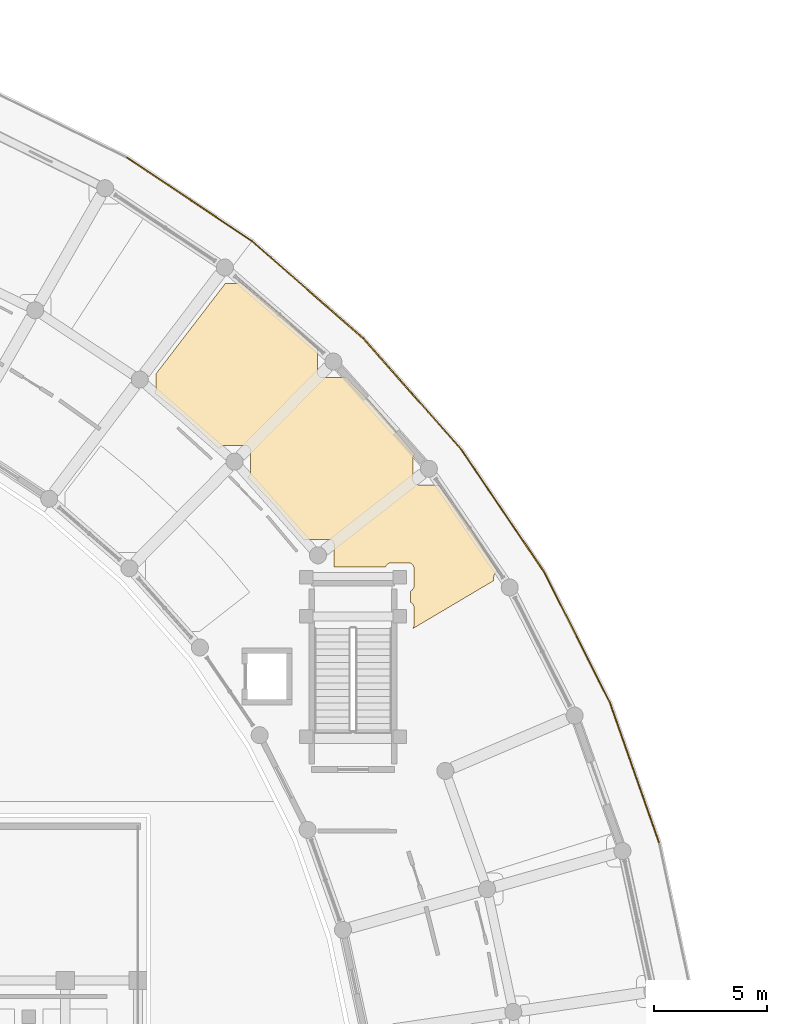
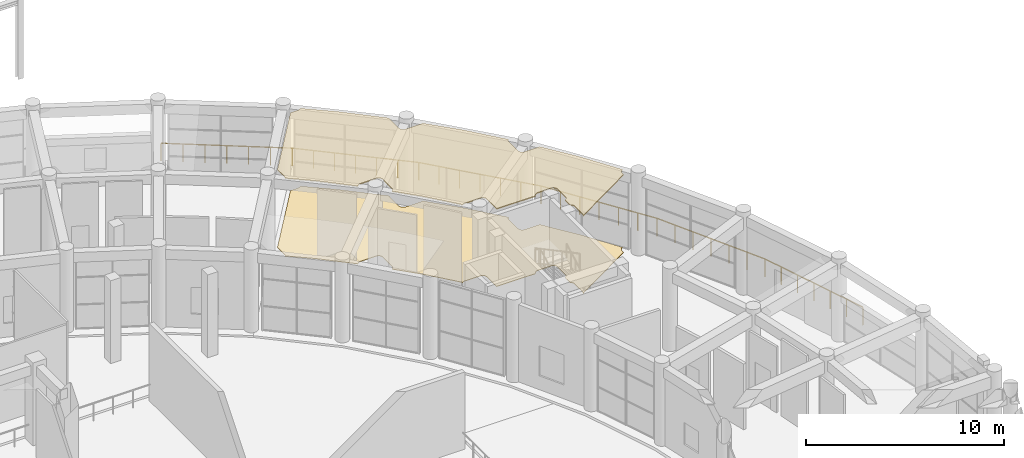
# One storey, part 96 of 99: 6 railings, 2 coverings.
"""IFC4 building model written with IfcOpenShell, lengths in metres."""

from ifc_helpers import new_model, si_unit, direction, frame, origin, origin_2d, place, context, subcontext, project, spatial, polyline, rectangle, outline, extrude, material, layer, layer_set, type_object, element, save


model = new_model("IFC4")

# Units and contexts
model_context = context("Model", 3, precision=1e-05, world=origin(), true_north=direction((0.0, 1.0)))
body_context = subcontext(model_context, "Body", "Model", "MODEL_VIEW")
ifc_project = project(units=[si_unit("LENGTHUNIT", "METRE"), si_unit("AREAUNIT", "SQUARE_METRE"), si_unit("VOLUMEUNIT", "CUBIC_METRE"), si_unit("PLANEANGLEUNIT", "RADIAN"), si_unit("MASSUNIT", "GRAM", prefix="KILO")], contexts=[model_context])

# Site, building, storey
site_placement = place(None, origin())
site = spatial("IfcSite", under=ifc_project, at=site_placement, CompositionType="ELEMENT")
building_placement = place(site_placement, origin())
building = spatial("IfcBuilding", under=site, at=building_placement, Name="Saryqyr Civic Hall", CompositionType="ELEMENT")
storey_placement = place(building_placement, origin())
storey = spatial("IfcBuildingStorey", under=building, at=storey_placement, Name="L00", CompositionType="ELEMENT", Elevation=0.0)

# Coverings
ifc_material_1 = material(Name="Mineral-fibre acoustic ceiling tile", Category="acoustic_tile")
ifc_layer_1 = layer(ifc_material_1, 0.06005859375, Name="Mineral-fibre acoustic ceiling tile")
ifc_layer_set_1 = layer_set([ifc_layer_1], Name="Mineral-fibre acoustic ceiling tile")
covering_type_1 = type_object("IfcCoveringType", Name="INT-COV-CEIL-60", PredefinedType="CEILING", material=ifc_layer_set_1)
covering_1_placement = place(storey_placement, frame((0.0, 0.0, 4.760009765625)))
element("IfcCovering", 1, at=covering_1_placement, inside=storey, type_object=covering_type_1, Name="Acoustic ceiling Community Participatory Budget Hub", PredefinedType="CEILING", context=body_context, shape_type="SweptSolid", body=[
    extrude(outline(polyline([(87.635498046875, 113.788818359375), (87.65673828125, 113.80126953125), (87.676513671875, 113.81591796875), (87.694580078125, 113.83251953125), (87.711181640625, 113.8505859375), (87.7255859375, 113.870361328125), (87.73828125, 113.891357421875), (87.748779296875, 113.91357421875), (87.757080078125, 113.9365234375), (87.762939453125, 113.96044921875), (87.7666015625, 113.984619140625), (87.767822265625, 114.00927734375), (87.767822265625, 114.919189453125), (87.7666015625, 114.943603515625), (87.762939453125, 114.968017578125), (87.757080078125, 114.99169921875), (87.748779296875, 115.014892578125), (87.73828125, 115.037109375), (87.7255859375, 115.05810546875), (87.711181640625, 115.077880859375), (87.694580078125, 115.095947265625), (87.676513671875, 115.112548828125), (87.65673828125, 115.127197265625), (87.635498046875, 115.1396484375), (87.613525390625, 115.150146484375), (87.59033203125, 115.158447265625), (87.566650390625, 115.164306640625), (87.542236328125, 115.16796875), (87.517822265625, 115.169189453125), (86.60791015625, 115.169189453125), (86.583251953125, 115.16796875), (86.55908203125, 115.164306640625), (86.53515625, 115.158447265625), (86.51220703125, 115.150146484375), (86.489990234375, 115.1396484375), (86.468994140625, 115.127197265625), (86.44921875, 115.112548828125), (86.430908203125, 115.095947265625), (86.41455078125, 115.077880859375), (86.39990234375, 115.05810546875), (86.38720703125, 115.037109375), (86.3837890625, 115.029296875), (84.78564453125, 116.488525390625), (84.758056640625, 116.511962890625), (83.54296875, 117.483154296875), (83.548583984375, 117.49072265625), (83.561279296875, 117.511962890625), (83.57177734375, 117.533935546875), (83.580078125, 117.55712890625), (83.5859375, 117.580810546875), (83.589599609375, 117.605224609375), (83.5908203125, 117.629638671875), (83.5908203125, 118.3251953125), (86.654052734375, 122.317138671875), (87.090576171875, 122.317138671875), (87.114990234375, 122.318359375), (87.139404296875, 122.322021484375), (87.1630859375, 122.327880859375), (87.186279296875, 122.336181640625), (87.20849609375, 122.3466796875), (87.2294921875, 122.359375), (87.249267578125, 122.373779296875), (87.267333984375, 122.390380859375), (87.279052734375, 122.4033203125), (88.78662109375, 121.198486328125), (90.730224609375, 119.423828125), (90.723388671875, 119.40478515625), (90.717529296875, 119.381103515625), (90.7138671875, 119.356689453125), (90.712646484375, 119.332275390625), (90.712646484375, 118.42236328125), (90.7138671875, 118.397705078125), (90.717529296875, 118.37353515625), (90.723388671875, 118.349609375), (90.731689453125, 118.32666015625), (90.7421875, 118.304443359375), (90.7548828125, 118.283447265625), (90.769287109375, 118.263671875), (90.785888671875, 118.24560546875), (90.80419921875, 118.22900390625), (90.82373046875, 118.21435546875), (90.844970703125, 118.201904296875), (90.866943359375, 118.19140625), (90.89013671875, 118.18310546875), (90.913818359375, 118.177001953125), (90.938232421875, 118.173583984375), (90.962646484375, 118.17236328125), (91.872802734375, 118.17236328125), (91.897216796875, 118.173583984375), (91.92138671875, 118.177001953125), (91.9453125, 118.18310546875), (91.96728515625, 118.19091796875), (93.3896484375, 116.70947265625), (95.00341796875, 114.791015625), (94.993896484375, 114.782470703125), (94.977294921875, 114.76416015625), (94.962890625, 114.744384765625), (94.9501953125, 114.723388671875), (94.939697265625, 114.701416015625), (94.931396484375, 114.67822265625), (94.925537109375, 114.654296875), (94.921875, 114.630126953125), (94.920654296875, 114.605712890625), (94.920654296875, 113.695556640625), (94.921875, 113.671142578125), (94.925537109375, 113.646728515625), (94.931396484375, 113.623046875), (94.939697265625, 113.599853515625), (94.9501953125, 113.577880859375), (94.962890625, 113.556640625), (94.977294921875, 113.537109375), (94.993896484375, 113.518798828125), (95.01220703125, 113.502197265625), (95.03173828125, 113.48779296875), (95.052978515625, 113.47509765625), (95.074951171875, 113.464599609375), (95.09814453125, 113.456298828125), (95.121826171875, 113.450439453125), (95.146240234375, 113.44677734375), (95.170654296875, 113.445556640625), (96.049560546875, 113.445556640625), (97.3642578125, 111.65576171875), (98.665283203125, 109.615966796875), (98.661865234375, 109.614990234375), (98.638671875, 109.60693359375), (98.61669921875, 109.596435546875), (98.595458984375, 109.583740234375), (98.57568359375, 109.569091796875), (98.5576171875, 109.552734375), (98.541015625, 109.534423828125), (98.526611328125, 109.514892578125), (98.513916015625, 109.49365234375), (98.50341796875, 109.4716796875), (98.4951171875, 109.448486328125), (98.4892578125, 109.4248046875), (98.485595703125, 109.400390625), (98.484375, 109.3759765625), (98.484375, 109.221923828125), (94.902099609375, 107.099365234375), (94.913330078125, 107.111328125), (94.927978515625, 107.131103515625), (94.9404296875, 107.152099609375), (94.950927734375, 107.17431640625), (94.959228515625, 107.197509765625), (94.965087890625, 107.22119140625), (94.96875, 107.24560546875), (94.969970703125, 107.27001953125), (94.969970703125, 108.030029296875), (94.96875, 108.054443359375), (94.965087890625, 108.078857421875), (94.959228515625, 108.1025390625), (94.950927734375, 108.125732421875), (94.9404296875, 108.147705078125), (94.927978515625, 108.1689453125), (94.913330078125, 108.188720703125), (94.896728515625, 108.206787109375), (94.878662109375, 108.223388671875), (94.85888671875, 108.23779296875), (94.837890625, 108.25048828125), (94.820068359375, 108.2587890625), (94.820068359375, 108.77099609375), (94.837890625, 108.779541015625), (94.85888671875, 108.7919921875), (94.878662109375, 108.806640625), (94.896728515625, 108.8232421875), (94.913330078125, 108.84130859375), (94.927978515625, 108.861083984375), (94.9404296875, 108.882080078125), (94.950927734375, 108.904296875), (94.959228515625, 108.927490234375), (94.965087890625, 108.951171875), (94.96875, 108.9755859375), (94.969970703125, 109.0), (94.969970703125, 109.760009765625), (94.96875, 109.784423828125), (94.965087890625, 109.808837890625), (94.959228515625, 109.83251953125), (94.950927734375, 109.855712890625), (94.9404296875, 109.877685546875), (94.927978515625, 109.89892578125), (94.913330078125, 109.918701171875), (94.896728515625, 109.936767578125), (94.878662109375, 109.953369140625), (94.85888671875, 109.968017578125), (94.837890625, 109.98046875), (94.815673828125, 109.990966796875), (94.79248046875, 109.999267578125), (94.768798828125, 110.005126953125), (94.744384765625, 110.0087890625), (94.719970703125, 110.010009765625), (93.9599609375, 110.010009765625), (93.935546875, 110.0087890625), (93.9111328125, 110.005126953125), (93.887451171875, 109.999267578125), (93.8642578125, 109.990966796875), (93.84228515625, 109.98046875), (93.821044921875, 109.968017578125), (93.801513671875, 109.953369140625), (93.783203125, 109.936767578125), (93.7666015625, 109.918701171875), (93.752197265625, 109.89892578125), (93.739501953125, 109.877685546875), (93.72900390625, 109.855712890625), (93.720703125, 109.83251953125), (93.717529296875, 109.820068359375), (91.435546875, 109.820068359375), (91.438720703125, 109.831787109375), (91.442138671875, 109.856201171875), (91.443359375, 109.880615234375), (91.443359375, 110.79052734375), (91.442138671875, 110.815185546875), (91.438720703125, 110.83935546875), (91.4326171875, 110.86328125), (91.42431640625, 110.88623046875), (91.413818359375, 110.908447265625), (91.4013671875, 110.929443359375), (91.38671875, 110.94921875), (91.3701171875, 110.96728515625), (91.35205078125, 110.98388671875), (91.332275390625, 110.99853515625), (91.311279296875, 111.010986328125), (91.2890625, 111.021484375), (91.26611328125, 111.02978515625), (91.2421875, 111.035888671875), (91.218017578125, 111.039306640625), (91.193359375, 111.04052734375), (90.283447265625, 111.04052734375), (90.2587890625, 111.039306640625), (90.234619140625, 111.035888671875), (90.210693359375, 111.02978515625), (90.187744140625, 111.021484375), (90.16552734375, 111.010986328125), (90.14453125, 110.99853515625), (90.131103515625, 110.988525390625), (88.805419921875, 112.564697265625), (88.78125, 112.591552734375), (87.633056640625, 113.78759765625), (87.635498046875, 113.788818359375)])), origin(), (0.0, 0.0, 1.0), 0.06005859375),
])
ifc_material_2 = material(Name="Polished terrazzo tile", Category="stone")
ifc_layer_2 = layer(ifc_material_2, 0.030029296875, Name="Polished terrazzo tile")
ifc_layer_set_2 = layer_set([ifc_layer_2], Name="Polished terrazzo tile")
covering_type_2 = type_object("IfcCoveringType", Name="INT-COV-FLR-30", PredefinedType="FLOORING", material=ifc_layer_set_2)
covering_2_placement = place(storey_placement, origin())
element("IfcCovering", 2, at=covering_2_placement, inside=storey, type_object=covering_type_2, Name="Polished terrazzo flooring Community Participatory Budget Hub", PredefinedType="FLOORING", context=body_context, shape_type="SweptSolid", body=[
    extrude(outline(polyline([(87.635498046875, 113.788818359375), (87.65673828125, 113.80126953125), (87.676513671875, 113.81591796875), (87.694580078125, 113.83251953125), (87.711181640625, 113.8505859375), (87.7255859375, 113.870361328125), (87.73828125, 113.891357421875), (87.748779296875, 113.91357421875), (87.757080078125, 113.9365234375), (87.762939453125, 113.96044921875), (87.7666015625, 113.984619140625), (87.767822265625, 114.00927734375), (87.767822265625, 114.919189453125), (87.7666015625, 114.943603515625), (87.762939453125, 114.968017578125), (87.757080078125, 114.99169921875), (87.748779296875, 115.014892578125), (87.73828125, 115.037109375), (87.7255859375, 115.05810546875), (87.711181640625, 115.077880859375), (87.694580078125, 115.095947265625), (87.676513671875, 115.112548828125), (87.65673828125, 115.127197265625), (87.635498046875, 115.1396484375), (87.613525390625, 115.150146484375), (87.59033203125, 115.158447265625), (87.566650390625, 115.164306640625), (87.542236328125, 115.16796875), (87.517822265625, 115.169189453125), (86.60791015625, 115.169189453125), (86.583251953125, 115.16796875), (86.55908203125, 115.164306640625), (86.53515625, 115.158447265625), (86.51220703125, 115.150146484375), (86.489990234375, 115.1396484375), (86.468994140625, 115.127197265625), (86.44921875, 115.112548828125), (86.430908203125, 115.095947265625), (86.41455078125, 115.077880859375), (86.39990234375, 115.05810546875), (86.38720703125, 115.037109375), (86.3837890625, 115.029296875), (84.78564453125, 116.488525390625), (84.758056640625, 116.511962890625), (83.54296875, 117.483154296875), (83.548583984375, 117.49072265625), (83.561279296875, 117.511962890625), (83.57177734375, 117.533935546875), (83.580078125, 117.55712890625), (83.5859375, 117.580810546875), (83.589599609375, 117.605224609375), (83.5908203125, 117.629638671875), (83.5908203125, 118.3251953125), (86.654052734375, 122.317138671875), (87.090576171875, 122.317138671875), (87.114990234375, 122.318359375), (87.139404296875, 122.322021484375), (87.1630859375, 122.327880859375), (87.186279296875, 122.336181640625), (87.20849609375, 122.3466796875), (87.2294921875, 122.359375), (87.249267578125, 122.373779296875), (87.267333984375, 122.390380859375), (87.279052734375, 122.4033203125), (88.78662109375, 121.198486328125), (90.730224609375, 119.423828125), (90.723388671875, 119.40478515625), (90.717529296875, 119.381103515625), (90.7138671875, 119.356689453125), (90.712646484375, 119.332275390625), (90.712646484375, 118.42236328125), (90.7138671875, 118.397705078125), (90.717529296875, 118.37353515625), (90.723388671875, 118.349609375), (90.731689453125, 118.32666015625), (90.7421875, 118.304443359375), (90.7548828125, 118.283447265625), (90.769287109375, 118.263671875), (90.785888671875, 118.24560546875), (90.80419921875, 118.22900390625), (90.82373046875, 118.21435546875), (90.844970703125, 118.201904296875), (90.866943359375, 118.19140625), (90.89013671875, 118.18310546875), (90.913818359375, 118.177001953125), (90.938232421875, 118.173583984375), (90.962646484375, 118.17236328125), (91.872802734375, 118.17236328125), (91.897216796875, 118.173583984375), (91.92138671875, 118.177001953125), (91.9453125, 118.18310546875), (91.96728515625, 118.19091796875), (93.3896484375, 116.70947265625), (95.00341796875, 114.791015625), (94.993896484375, 114.782470703125), (94.977294921875, 114.76416015625), (94.962890625, 114.744384765625), (94.9501953125, 114.723388671875), (94.939697265625, 114.701416015625), (94.931396484375, 114.67822265625), (94.925537109375, 114.654296875), (94.921875, 114.630126953125), (94.920654296875, 114.605712890625), (94.920654296875, 113.695556640625), (94.921875, 113.671142578125), (94.925537109375, 113.646728515625), (94.931396484375, 113.623046875), (94.939697265625, 113.599853515625), (94.9501953125, 113.577880859375), (94.962890625, 113.556640625), (94.977294921875, 113.537109375), (94.993896484375, 113.518798828125), (95.01220703125, 113.502197265625), (95.03173828125, 113.48779296875), (95.052978515625, 113.47509765625), (95.074951171875, 113.464599609375), (95.09814453125, 113.456298828125), (95.121826171875, 113.450439453125), (95.146240234375, 113.44677734375), (95.170654296875, 113.445556640625), (96.049560546875, 113.445556640625), (97.3642578125, 111.65576171875), (98.665283203125, 109.615966796875), (98.661865234375, 109.614990234375), (98.638671875, 109.60693359375), (98.61669921875, 109.596435546875), (98.595458984375, 109.583740234375), (98.57568359375, 109.569091796875), (98.5576171875, 109.552734375), (98.541015625, 109.534423828125), (98.526611328125, 109.514892578125), (98.513916015625, 109.49365234375), (98.50341796875, 109.4716796875), (98.4951171875, 109.448486328125), (98.4892578125, 109.4248046875), (98.485595703125, 109.400390625), (98.484375, 109.3759765625), (98.484375, 109.221923828125), (94.902099609375, 107.099365234375), (94.913330078125, 107.111328125), (94.927978515625, 107.131103515625), (94.9404296875, 107.152099609375), (94.950927734375, 107.17431640625), (94.959228515625, 107.197509765625), (94.965087890625, 107.22119140625), (94.96875, 107.24560546875), (94.969970703125, 107.27001953125), (94.969970703125, 108.030029296875), (94.96875, 108.054443359375), (94.965087890625, 108.078857421875), (94.959228515625, 108.1025390625), (94.950927734375, 108.125732421875), (94.9404296875, 108.147705078125), (94.927978515625, 108.1689453125), (94.913330078125, 108.188720703125), (94.896728515625, 108.206787109375), (94.878662109375, 108.223388671875), (94.85888671875, 108.23779296875), (94.837890625, 108.25048828125), (94.820068359375, 108.2587890625), (94.820068359375, 108.77099609375), (94.837890625, 108.779541015625), (94.85888671875, 108.7919921875), (94.878662109375, 108.806640625), (94.896728515625, 108.8232421875), (94.913330078125, 108.84130859375), (94.927978515625, 108.861083984375), (94.9404296875, 108.882080078125), (94.950927734375, 108.904296875), (94.959228515625, 108.927490234375), (94.965087890625, 108.951171875), (94.96875, 108.9755859375), (94.969970703125, 109.0), (94.969970703125, 109.760009765625), (94.96875, 109.784423828125), (94.965087890625, 109.808837890625), (94.959228515625, 109.83251953125), (94.950927734375, 109.855712890625), (94.9404296875, 109.877685546875), (94.927978515625, 109.89892578125), (94.913330078125, 109.918701171875), (94.896728515625, 109.936767578125), (94.878662109375, 109.953369140625), (94.85888671875, 109.968017578125), (94.837890625, 109.98046875), (94.815673828125, 109.990966796875), (94.79248046875, 109.999267578125), (94.768798828125, 110.005126953125), (94.744384765625, 110.0087890625), (94.719970703125, 110.010009765625), (93.9599609375, 110.010009765625), (93.935546875, 110.0087890625), (93.9111328125, 110.005126953125), (93.887451171875, 109.999267578125), (93.8642578125, 109.990966796875), (93.84228515625, 109.98046875), (93.821044921875, 109.968017578125), (93.801513671875, 109.953369140625), (93.783203125, 109.936767578125), (93.7666015625, 109.918701171875), (93.752197265625, 109.89892578125), (93.739501953125, 109.877685546875), (93.72900390625, 109.855712890625), (93.720703125, 109.83251953125), (93.717529296875, 109.820068359375), (91.435546875, 109.820068359375), (91.438720703125, 109.831787109375), (91.442138671875, 109.856201171875), (91.443359375, 109.880615234375), (91.443359375, 110.79052734375), (91.442138671875, 110.815185546875), (91.438720703125, 110.83935546875), (91.4326171875, 110.86328125), (91.42431640625, 110.88623046875), (91.413818359375, 110.908447265625), (91.4013671875, 110.929443359375), (91.38671875, 110.94921875), (91.3701171875, 110.96728515625), (91.35205078125, 110.98388671875), (91.332275390625, 110.99853515625), (91.311279296875, 111.010986328125), (91.2890625, 111.021484375), (91.26611328125, 111.02978515625), (91.2421875, 111.035888671875), (91.218017578125, 111.039306640625), (91.193359375, 111.04052734375), (90.283447265625, 111.04052734375), (90.2587890625, 111.039306640625), (90.234619140625, 111.035888671875), (90.210693359375, 111.02978515625), (90.187744140625, 111.021484375), (90.16552734375, 111.010986328125), (90.14453125, 110.99853515625), (90.131103515625, 110.988525390625), (88.805419921875, 112.564697265625), (88.78125, 112.591552734375), (87.633056640625, 113.78759765625), (87.635498046875, 113.788818359375)])), origin(), (0.0, 0.0, 1.0), 0.030029296875),
])

# Railings
ifc_material_3 = material(Name="Warm brushed brass and laminated glass", Category="glass")
ifc_layer_3 = layer(ifc_material_3, 0.06005859375, Name="Warm brushed brass and laminated glass")
ifc_layer_set_3 = layer_set([ifc_layer_3], Name="Warm brushed brass and laminated glass")
railing_type = type_object("IfcRailingType", Name="INT-RLG-BAL-1100", PredefinedType="BALUSTRADE", material=ifc_layer_set_3)
railing_1_placement = place(storey_placement, frame((82.324951171875, 127.864013671875, 0.0)))
element("IfcRailing", 3, at=railing_1_placement, inside=storey, type_object=railing_type, Name="Interior deck safety balustrade L00-017", PredefinedType="BALUSTRADE", context=body_context, shape_type="SweptSolid", body=[
    extrude(rectangle(XDim=0.048095703125, YDim=0.048095703125, at=origin_2d()), frame((0.0, 0.0, 1.09619140625), z_axis=(0.831454540273, -0.555592789243, 0.0), x_axis=(0.555592789243, 0.831454540273, 0.0)), (0.0, 0.0, 1.0), 6.625244140625),
    extrude(rectangle(XDim=0.0419921875, YDim=0.0419921875, at=origin_2d()), origin(), (0.0, 0.0, 1.0), 1.072021484375),
    extrude(rectangle(XDim=0.0419921875, YDim=0.0419921875, at=origin_2d()), frame((0.91796875, -0.613525390625, 0.0)), (0.0, 0.0, 1.0), 1.072021484375),
    extrude(rectangle(XDim=0.0419921875, YDim=0.0419921875, at=origin_2d()), frame((1.836181640625, -1.22705078125, 0.0)), (0.0, 0.0, 1.0), 1.072021484375),
    extrude(rectangle(XDim=0.0419921875, YDim=0.0419921875, at=origin_2d()), frame((2.75439453125, -1.84033203125, 0.0)), (0.0, 0.0, 1.0), 1.072021484375),
    extrude(rectangle(XDim=0.0419921875, YDim=0.0419921875, at=origin_2d()), frame((3.67236328125, -2.453857421875, 0.0)), (0.0, 0.0, 1.0), 1.072021484375),
    extrude(rectangle(XDim=0.0419921875, YDim=0.0419921875, at=origin_2d()), frame((4.59033203125, -3.0673828125, 0.0)), (0.0, 0.0, 1.0), 1.072021484375),
    extrude(rectangle(XDim=0.0419921875, YDim=0.0419921875, at=origin_2d()), frame((5.508544921875, -3.680908203125, 0.0)), (0.0, 0.0, 1.0), 1.072021484375),
])
railing_2_placement = place(storey_placement, frame((87.83349609375, 124.18310546875, 0.0)))
element("IfcRailing", 4, at=railing_2_placement, inside=storey, type_object=railing_type, Name="Interior deck safety balustrade L00-018", PredefinedType="BALUSTRADE", context=body_context, shape_type="SweptSolid", body=[
    extrude(rectangle(XDim=0.048095703125, YDim=0.048095703125, at=origin_2d()), frame((0.0, 0.0, 1.09619140625), z_axis=(0.752651080656, -0.658419585665, 0.0), x_axis=(0.658419585665, 0.752651080656, 0.0)), (0.0, 0.0, 1.0), 6.505615234375),
    extrude(rectangle(XDim=0.0419921875, YDim=0.0419921875, at=origin_2d()), origin(), (0.0, 0.0, 1.0), 1.072021484375),
    extrude(rectangle(XDim=0.0419921875, YDim=0.0419921875, at=origin_2d()), frame((0.816162109375, -0.7138671875, 0.0)), (0.0, 0.0, 1.0), 1.072021484375),
    extrude(rectangle(XDim=0.0419921875, YDim=0.0419921875, at=origin_2d()), frame((1.632080078125, -1.427734375, 0.0)), (0.0, 0.0, 1.0), 1.072021484375),
    extrude(rectangle(XDim=0.0419921875, YDim=0.0419921875, at=origin_2d()), frame((2.4482421875, -2.1416015625, 0.0)), (0.0, 0.0, 1.0), 1.072021484375),
    extrude(rectangle(XDim=0.0419921875, YDim=0.0419921875, at=origin_2d()), frame((3.264404296875, -2.855712890625, 0.0)), (0.0, 0.0, 1.0), 1.072021484375),
    extrude(rectangle(XDim=0.0419921875, YDim=0.0419921875, at=origin_2d()), frame((4.080322265625, -3.569580078125, 0.0)), (0.0, 0.0, 1.0), 1.072021484375),
    extrude(rectangle(XDim=0.0419921875, YDim=0.0419921875, at=origin_2d()), frame((4.896484375, -4.283447265625, 0.0)), (0.0, 0.0, 1.0), 1.072021484375),
])
railing_3_placement = place(storey_placement, frame((92.72998046875, 119.899658203125, 0.0)))
element("IfcRailing", 5, at=railing_3_placement, inside=storey, type_object=railing_type, Name="Interior deck safety balustrade L00-019", PredefinedType="BALUSTRADE", context=body_context, shape_type="SweptSolid", body=[
    extrude(rectangle(XDim=0.048095703125, YDim=0.048095703125, at=origin_2d()), frame((0.0, 0.0, 1.09619140625), z_axis=(0.66199391504, -0.749509210384, 0.0), x_axis=(0.749509210384, 0.66199391504, 0.0)), (0.0, 0.0, 1.0), 6.505615234375),
    extrude(rectangle(XDim=0.0419921875, YDim=0.0419921875, at=origin_2d()), origin(), (0.0, 0.0, 1.0), 1.072021484375),
    extrude(rectangle(XDim=0.0419921875, YDim=0.0419921875, at=origin_2d()), frame((0.7177734375, -0.812744140625, 0.0)), (0.0, 0.0, 1.0), 1.072021484375),
    extrude(rectangle(XDim=0.0419921875, YDim=0.0419921875, at=origin_2d()), frame((1.435546875, -1.625244140625, 0.0)), (0.0, 0.0, 1.0), 1.072021484375),
    extrude(rectangle(XDim=0.0419921875, YDim=0.0419921875, at=origin_2d()), frame((2.1533203125, -2.43798828125, 0.0)), (0.0, 0.0, 1.0), 1.072021484375),
    extrude(rectangle(XDim=0.0419921875, YDim=0.0419921875, at=origin_2d()), frame((2.87109375, -3.250732421875, 0.0)), (0.0, 0.0, 1.0), 1.072021484375),
    extrude(rectangle(XDim=0.0419921875, YDim=0.0419921875, at=origin_2d()), frame((3.5888671875, -4.063232421875, 0.0)), (0.0, 0.0, 1.0), 1.072021484375),
    extrude(rectangle(XDim=0.0419921875, YDim=0.0419921875, at=origin_2d()), frame((4.306640625, -4.8759765625, 0.0)), (0.0, 0.0, 1.0), 1.072021484375),
])
railing_4_placement = place(storey_placement, frame((97.03662109375, 115.023681640625, 0.0)))
element("IfcRailing", 6, at=railing_4_placement, inside=storey, type_object=railing_type, Name="Interior deck safety balustrade L00-020", PredefinedType="BALUSTRADE", context=body_context, shape_type="SweptSolid", body=[
    extrude(rectangle(XDim=0.048095703125, YDim=0.048095703125, at=origin_2d()), frame((0.0, 0.0, 1.09619140625), z_axis=(0.56050623047, -0.828150207151, 0.0), x_axis=(0.828150207151, 0.56050623047, 0.0)), (0.0, 0.0, 1.0), 6.505615234375),
    extrude(rectangle(XDim=0.0419921875, YDim=0.0419921875, at=origin_2d()), origin(), (0.0, 0.0, 1.0), 1.072021484375),
    extrude(rectangle(XDim=0.0419921875, YDim=0.0419921875, at=origin_2d()), frame((0.607666015625, -0.89794921875, 0.0)), (0.0, 0.0, 1.0), 1.072021484375),
    extrude(rectangle(XDim=0.0419921875, YDim=0.0419921875, at=origin_2d()), frame((1.215576171875, -1.7958984375, 0.0)), (0.0, 0.0, 1.0), 1.072021484375),
    extrude(rectangle(XDim=0.0419921875, YDim=0.0419921875, at=origin_2d()), frame((1.8232421875, -2.69384765625, 0.0)), (0.0, 0.0, 1.0), 1.072021484375),
    extrude(rectangle(XDim=0.0419921875, YDim=0.0419921875, at=origin_2d()), frame((2.430908203125, -3.591796875, 0.0)), (0.0, 0.0, 1.0), 1.072021484375),
    extrude(rectangle(XDim=0.0419921875, YDim=0.0419921875, at=origin_2d()), frame((3.038818359375, -4.48974609375, 0.0)), (0.0, 0.0, 1.0), 1.072021484375),
    extrude(rectangle(XDim=0.0419921875, YDim=0.0419921875, at=origin_2d()), frame((3.646484375, -5.3876953125, 0.0)), (0.0, 0.0, 1.0), 1.072021484375),
])
railing_5_placement = place(storey_placement, frame((100.68310546875, 109.635986328125, 0.0)))
element("IfcRailing", 7, at=railing_5_placement, inside=storey, type_object=railing_type, Name="Interior deck safety balustrade L00-021", PredefinedType="BALUSTRADE", context=body_context, shape_type="SweptSolid", body=[
    extrude(rectangle(XDim=0.048095703125, YDim=0.048095703125, at=origin_2d()), frame((0.0, 0.0, 1.09619140625), z_axis=(0.449688677367, -0.893185363432, 0.0), x_axis=(0.893185363432, 0.449688677367, 0.0)), (0.0, 0.0, 1.0), 6.505615234375),
    extrude(rectangle(XDim=0.0419921875, YDim=0.0419921875, at=origin_2d()), origin(), (0.0, 0.0, 1.0), 1.072021484375),
    extrude(rectangle(XDim=0.0419921875, YDim=0.0419921875, at=origin_2d()), frame((0.487548828125, -0.968505859375, 0.0)), (0.0, 0.0, 1.0), 1.072021484375),
    extrude(rectangle(XDim=0.0419921875, YDim=0.0419921875, at=origin_2d()), frame((0.97509765625, -1.93701171875, 0.0)), (0.0, 0.0, 1.0), 1.072021484375),
    extrude(rectangle(XDim=0.0419921875, YDim=0.0419921875, at=origin_2d()), frame((1.462890625, -2.9052734375, 0.0)), (0.0, 0.0, 1.0), 1.072021484375),
    extrude(rectangle(XDim=0.0419921875, YDim=0.0419921875, at=origin_2d()), frame((1.950439453125, -3.873779296875, 0.0)), (0.0, 0.0, 1.0), 1.072021484375),
    extrude(rectangle(XDim=0.0419921875, YDim=0.0419921875, at=origin_2d()), frame((2.43798828125, -4.84228515625, 0.0)), (0.0, 0.0, 1.0), 1.072021484375),
    extrude(rectangle(XDim=0.0419921875, YDim=0.0419921875, at=origin_2d()), frame((2.925537109375, -5.810791015625, 0.0)), (0.0, 0.0, 1.0), 1.072021484375),
])
railing_6_placement = place(storey_placement, frame((103.608642578125, 103.8251953125, 0.0)))
element("IfcRailing", 8, at=railing_6_placement, inside=storey, type_object=railing_type, Name="Interior deck safety balustrade L00-022", PredefinedType="BALUSTRADE", context=body_context, shape_type="SweptSolid", body=[
    extrude(rectangle(XDim=0.048095703125, YDim=0.048095703125, at=origin_2d()), frame((0.0, 0.0, 1.09619140625), z_axis=(0.331486897837, -0.943459822442, 0.0), x_axis=(0.943459822442, 0.331486897837, 0.0)), (0.0, 0.0, 1.0), 6.505615234375),
    extrude(rectangle(XDim=0.0419921875, YDim=0.0419921875, at=origin_2d()), origin(), (0.0, 0.0, 1.0), 1.072021484375),
    extrude(rectangle(XDim=0.0419921875, YDim=0.0419921875, at=origin_2d()), frame((0.359375, -1.02294921875, 0.0)), (0.0, 0.0, 1.0), 1.072021484375),
    extrude(rectangle(XDim=0.0419921875, YDim=0.0419921875, at=origin_2d()), frame((0.71875, -2.0458984375, 0.0)), (0.0, 0.0, 1.0), 1.072021484375),
    extrude(rectangle(XDim=0.0419921875, YDim=0.0419921875, at=origin_2d()), frame((1.078125, -3.06884765625, 0.0)), (0.0, 0.0, 1.0), 1.072021484375),
    extrude(rectangle(XDim=0.0419921875, YDim=0.0419921875, at=origin_2d()), frame((1.437744140625, -4.091796875, 0.0)), (0.0, 0.0, 1.0), 1.072021484375),
    extrude(rectangle(XDim=0.0419921875, YDim=0.0419921875, at=origin_2d()), frame((1.797119140625, -5.11474609375, 0.0)), (0.0, 0.0, 1.0), 1.072021484375),
    extrude(rectangle(XDim=0.0419921875, YDim=0.0419921875, at=origin_2d()), frame((2.156494140625, -6.1376953125, 0.0)), (0.0, 0.0, 1.0), 1.072021484375),
])

save(model, "model.ifc")
